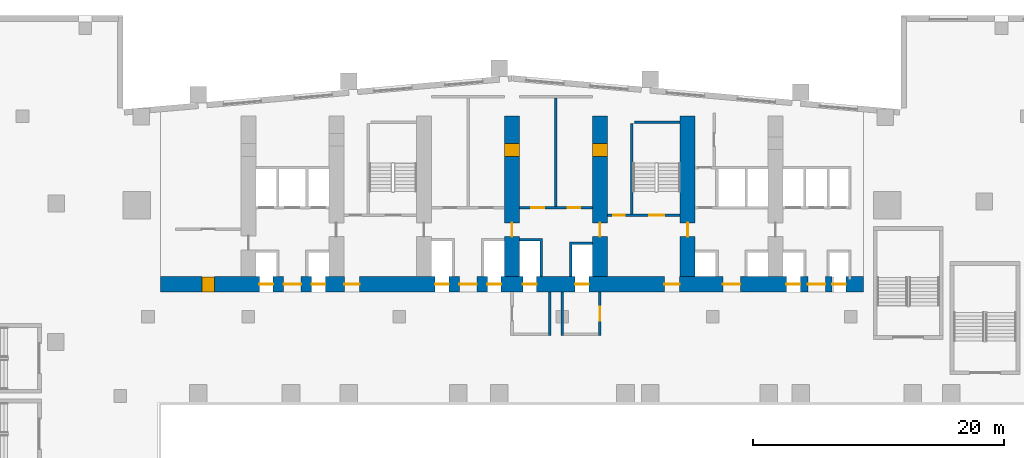
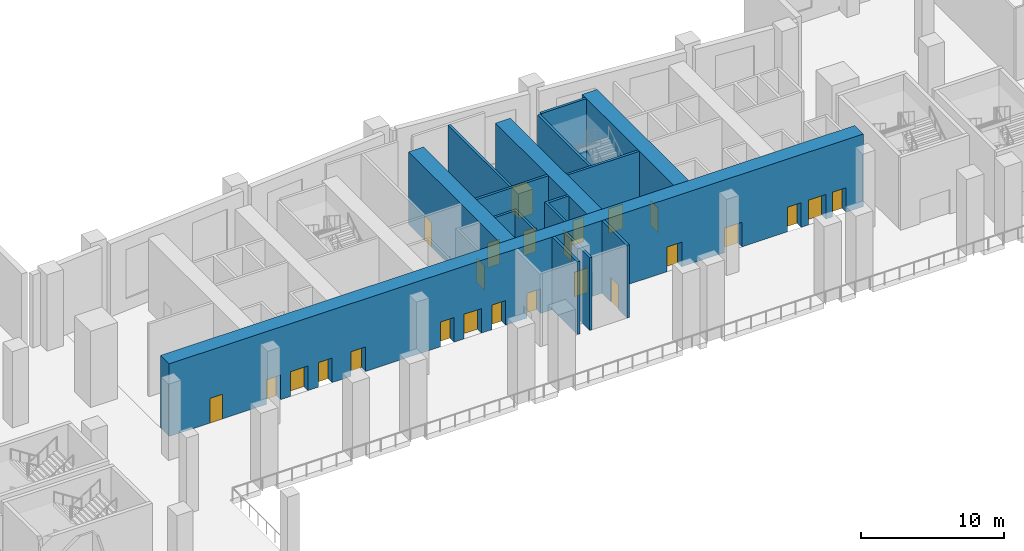
# One storey, part 15 of 30: 25 doors, 14 walls, 25 openings.
"""IFC4 building model written with IfcOpenShell, lengths in metres."""

import ifcopenshell
import ifcopenshell.guid

model = None  # the IFC model being written
_history = None  # IfcOwnerHistory: only IFC2X3 demands one
_inside = {}  # id of a spatial element -> (the spatial element, [elements in it])
_under = {}  # id of a project, library or spatial element -> (it, [spatial elements below it])
_declared = {}  # id of a project -> (the project, [libraries it declares])
_typed = {}  # id of a type object -> (the type object, [elements of that type])
_made_of = {}  # id of a material, layer set ... -> (it, [elements and type objects made of it])


def new_model(schema):
    """Start an empty IFC model of exactly this schema.

    Asked for "IFC4X3", IfcOpenShell would pick the latest addendum, in which some entities
    have other attributes; the version numbers below select the first issue.
    IFC2X3 requires an IfcOwnerHistory on every rooted entity: one is made here for all.
    """
    global model, _history
    if schema == "IFC4X3":
        model = ifcopenshell.file(schema_version=(4, 3, 0, 0))
    else:
        model = ifcopenshell.file(schema=schema)
    _inside.clear()
    _under.clear()
    _declared.clear()
    _typed.clear()
    _made_of.clear()
    _history = None
    if model.schema == "IFC2X3":
        org = make("IfcOrganization", Name="unknown")
        user = make(
            "IfcPersonAndOrganization",
            ThePerson=make("IfcPerson", FamilyName="unknown"),
            TheOrganization=org,
        )
        app = make(
            "IfcApplication",
            ApplicationDeveloper=org,
            Version="unknown",
            ApplicationFullName="unknown",
            ApplicationIdentifier="unknown",
        )
        _history = make(
            "IfcOwnerHistory",
            OwningUser=user,
            OwningApplication=app,
            ChangeAction="ADDED",
            CreationDate=0,
        )
    return model


def make(cls, **values):
    """One entity of the class cls with the attributes given. An attribute that is None is left unset."""
    return model.create_entity(
        cls, **{name: value for name, value in values.items() if value is not None}
    )


def rooted(cls, **values):
    """An entity with a GlobalId (a new one), such as an element, a storey or a relation."""
    return make(cls, GlobalId=ifcopenshell.guid.new(), OwnerHistory=_history, **values)


def si_unit(unit_type, name, prefix=None):
    """IfcSIUnit, for example si_unit("LENGTHUNIT", "METRE", prefix="MILLI")."""
    return make("IfcSIUnit", UnitType=unit_type, Prefix=prefix, Name=name)


def assignment(units):
    """IfcUnitAssignment: the units of a project."""
    return None if units is None else make("IfcUnitAssignment", Units=units)


def point(xyz):
    """IfcCartesianPoint."""
    return None if xyz is None else make("IfcCartesianPoint", Coordinates=xyz)


def direction(xyz):
    """IfcDirection."""
    return None if xyz is None else make("IfcDirection", DirectionRatios=xyz)


def frame(location, z_axis=None, x_axis=None):
    """IfcAxis2Placement3D, a coordinate frame: its origin and axes. An axis left out is left unset."""
    return make(
        "IfcAxis2Placement3D",
        Location=point(location),
        Axis=direction(z_axis),
        RefDirection=direction(x_axis),
    )


def frame_2d(location, x_axis=None):
    """IfcAxis2Placement2D, a coordinate frame in the plane: its origin and x axis."""
    return make(
        "IfcAxis2Placement2D", Location=point(location), RefDirection=direction(x_axis)
    )


def origin():
    """The frame at (0, 0, 0) with its axes left unset."""
    return frame((0.0, 0.0, 0.0))


def place(relative_to, where):
    """IfcLocalPlacement: puts the frame where relative to a parent placement (None: the world)."""
    return make(
        "IfcLocalPlacement", PlacementRelTo=relative_to, RelativePlacement=where
    )


def context(
    kind, dimensions, precision=None, world=None, true_north=None, identifier=None
):
    """IfcGeometricRepresentationContext, for example the 3D "Model" context."""
    return make(
        "IfcGeometricRepresentationContext",
        ContextIdentifier=identifier,
        ContextType=kind,
        CoordinateSpaceDimension=dimensions,
        Precision=precision,
        WorldCoordinateSystem=world,
        TrueNorth=true_north,
    )


def subcontext(parent, identifier, kind, view, scale=None):
    """IfcGeometricRepresentationSubContext, for example "Body" below "Model"."""
    return make(
        "IfcGeometricRepresentationSubContext",
        ContextIdentifier=identifier,
        ContextType=kind,
        ParentContext=parent,
        TargetScale=scale,
        TargetView=view,
    )


def project(units=None, contexts=None):
    """IfcProject with its units and contexts."""
    return rooted(
        "IfcProject",
        Name="project",
        RepresentationContexts=contexts,
        UnitsInContext=assignment(units),
    )


def spatial(cls, under=None, at=None, **own):
    """A site, building, storey or space (cls), placed at a placement, below another one or the project."""
    s = rooted(cls, ObjectPlacement=at, **own)
    if under is not None:
        _under.setdefault(under.id(), (under, []))[1].append(s)
    return s


def polyline(points):
    """IfcPolyline through the points."""
    return make("IfcPolyline", Points=[point(p) for p in points])


def profile(cls, at=None, kind="AREA", **sizes):
    """A parametric profile (cls). Its sizes go by their IFC names, for example OverallWidth=200.0."""
    return make(cls, ProfileType=kind, Position=at, **sizes)


def rectangle(**sizes):
    """IfcRectangleProfileDef."""
    return profile("IfcRectangleProfileDef", **sizes)


def outline(outer, holes=None, kind="AREA"):
    """IfcArbitraryClosedProfileDef: a profile drawn as a closed curve; with holes, ...WithVoids."""
    if holes is None:
        return make("IfcArbitraryClosedProfileDef", ProfileType=kind, OuterCurve=outer)
    return make(
        "IfcArbitraryProfileDefWithVoids",
        ProfileType=kind,
        OuterCurve=outer,
        InnerCurves=holes,
    )


def extrude(swept, where, along, depth):
    """IfcExtrudedAreaSolid: the profile swept, set in the frame where, extruded along a direction by depth."""
    return make(
        "IfcExtrudedAreaSolid",
        SweptArea=swept,
        Position=where,
        ExtrudedDirection=direction(along),
        Depth=depth,
    )


def shape(context_of_items, identifier, shape_type, items):
    """IfcShapeRepresentation: the items that make up one representation, for example the "Body"."""
    return make(
        "IfcShapeRepresentation",
        ContextOfItems=context_of_items,
        RepresentationIdentifier=identifier,
        RepresentationType=shape_type,
        Items=items,
    )


def material(Name=None, Category=None):
    """IfcMaterial."""
    return make("IfcMaterial", Name=Name, Category=Category)


def layer(
    of_material, thickness, ventilated=None, Name=None, Category=None, Priority=None
):
    """IfcMaterialLayer: one layer of a wall or slab, of a material (None: an air gap)."""
    return make(
        "IfcMaterialLayer",
        Material=of_material,
        LayerThickness=thickness,
        IsVentilated=ventilated,
        Name=Name,
        Category=Category,
        Priority=Priority,
    )


def layer_set(layers, Name=None):
    """IfcMaterialLayerSet."""
    return make("IfcMaterialLayerSet", MaterialLayers=layers, LayerSetName=Name)


def made_of(thing, what):
    """Note that an element or type object is made of a material, layer set ...; save() writes the relation."""
    if what is not None:
        _made_of.setdefault(what.id(), (what, []))[1].append(thing)
    return thing


def type_object(cls, material=None, **own):
    """A type object (cls), such as IfcWallType, which elements share."""
    return made_of(rooted(cls, **own), material)


def element(
    cls,
    number,
    at=None,
    inside=None,
    cuts=None,
    type_object=None,
    material=None,
    context=None,
    identifier="Body",
    shape_type=None,
    held_by="IfcProductDefinitionShape",
    body=None,
    shapes=None,
    **own,
):
    """One element of the class cls, such as IfcWall. Its Tag is "e" and its number.

    at: its placement. inside: the storey or other place that contains it. cuts: it is an
    opening in that element (IfcRelVoidsElement). A single representation is given by context,
    identifier, shape_type and body (its items); several are given by shapes. held_by: the class
    of the entity that holds the representations. save() writes the other relations.
    """
    e = rooted(cls, Tag="e%d" % number, ObjectPlacement=at, **own)
    if body is not None:
        shapes = [shape(context, identifier, shape_type, body)]
    if shapes is not None:
        e.Representation = make(held_by, Representations=shapes)
    if inside is not None:
        _inside.setdefault(inside.id(), (inside, []))[1].append(e)
    if cuts is not None:
        rooted(
            "IfcRelVoidsElement", RelatingBuildingElement=cuts, RelatedOpeningElement=e
        )
    if type_object is not None:
        _typed.setdefault(type_object.id(), (type_object, []))[1].append(e)
    return made_of(e, material)


def fill(opening, filler):
    """IfcRelFillsElement: the door or window that sits in an opening."""
    return rooted(
        "IfcRelFillsElement",
        RelatingOpeningElement=opening,
        RelatedBuildingElement=filler,
    )


def aggregate(whole, parts):
    """IfcRelAggregates: a whole, such as a stair, and the parts it consists of."""
    return rooted("IfcRelAggregates", RelatingObject=whole, RelatedObjects=parts)


def save(model, path):
    """Write the relations noted so far, then the file.

    IfcRelAggregates (storeys below a building ...), IfcRelContainedInSpatialStructure (elements
    in a storey), IfcRelDefinesByType, IfcRelAssociatesMaterial and IfcRelDeclares: one each for
    every whole, place, type object, material and project.
    """
    for whole, parts in _under.values():
        aggregate(whole, parts)
    for where, things in _inside.values():
        rooted(
            "IfcRelContainedInSpatialStructure",
            RelatedElements=things,
            RelatingStructure=where,
        )
    for kind, things in _typed.values():
        rooted("IfcRelDefinesByType", RelatedObjects=things, RelatingType=kind)
    for what, things in _made_of.values():
        rooted("IfcRelAssociatesMaterial", RelatedObjects=things, RelatingMaterial=what)
    for by, libraries in _declared.values():
        rooted("IfcRelDeclares", RelatingContext=by, RelatedDefinitions=libraries)
    model.write(path)


model = new_model("IFC4")

# Units and contexts
model_context = context("Model", 3, precision=1e-05, world=origin(), true_north=direction((0.0, 1.0)))
body_context = subcontext(model_context, "Body", "Model", "MODEL_VIEW")
ifc_project = project(units=[si_unit("LENGTHUNIT", "METRE"), si_unit("AREAUNIT", "SQUARE_METRE"), si_unit("VOLUMEUNIT", "CUBIC_METRE"), si_unit("PLANEANGLEUNIT", "RADIAN"), si_unit("MASSUNIT", "GRAM", prefix="KILO")], contexts=[model_context])

# Site, building, storey
site_placement = place(None, origin())
site = spatial("IfcSite", under=ifc_project, at=site_placement, CompositionType="ELEMENT")
building_placement = place(site_placement, origin())
building = spatial("IfcBuilding", under=site, at=building_placement, Name="Wharfspan Tower", CompositionType="ELEMENT")
storey_placement = place(building_placement, frame((0.0, 0.0, 15.0)))
storey = spatial("IfcBuildingStorey", under=building, at=storey_placement, Name="L02", CompositionType="ELEMENT", Elevation=15.0)

# Wall
ifc_material_1 = material(Name="Calcium silicate masonry", Category="masonry")
ifc_layer_1 = layer(ifc_material_1, 0.199951)
ifc_layer_set_1 = layer_set([ifc_layer_1], Name="Calcium silicate masonry")
wall_type_1 = type_object("IfcWallType", Name="Core room wall 200", PredefinedType="PARTITIONING", material=ifc_layer_set_1)
wall_1_placement = place(storey_placement, frame((40.5, 40.800049, 0.0), z_axis=(0.0, 0.0, 1.0), x_axis=(0.0, 1.0, 0.0)))
element("IfcWall", 1, at=wall_1_placement, inside=storey, type_object=wall_type_1, Name="sw:L02:RP4.1", PredefinedType="PARTITIONING", context=body_context, shape_type="SweptSolid", body=[
    extrude(rectangle(XDim=8.652588, YDim=0.199951, at=frame_2d((4.326172, 0.0))), origin(), (0.0, 0.0, 1.0), 6.199951),
])

# Wall, openings, doors
ifc_material_2 = material(Name="Concrete C70/85", Category="concrete")
ifc_layer_2 = layer(ifc_material_2, 1.199951)
ifc_layer_set_2 = layer_set([ifc_layer_2], Name="Concrete C70/85")
wall_type_2 = type_object("IfcWallType", Name="Core wall fallback 1.2", PredefinedType="SHEAR", material=ifc_layer_set_2)
wall_2_placement = place(storey_placement, frame((9.0, 34.600098, 0.0), z_axis=(0.0, 0.0, 1.0), x_axis=(1.0, 0.0, 0.0)))
wall_2 = element("IfcWall", 2, at=wall_2_placement, inside=storey, type_object=wall_type_2, Name="cw:L02:FW", PredefinedType="SHEAR", context=body_context, shape_type="SweptSolid", body=[
    extrude(rectangle(XDim=56.0, YDim=1.199951, at=frame_2d((28.0, 0.0))), origin(), (0.0, 0.0, 1.0), 6.199951),
])
opening_1_placement = place(wall_2_placement, frame((3.300049, 0.0, 0.0)))
opening_1 = element("IfcOpeningElement", 3, at=opening_1_placement, cuts=wall_2, Name="Opening CD02.01", PredefinedType="OPENING", context=body_context, shape_type="SweptSolid", body=[
    extrude(rectangle(XDim=1.0, YDim=2.100098, at=frame_2d((0.5, 1.050049))), frame((0.0, 0.609863, 0.0), z_axis=(0.0, -1.0, 0.0), x_axis=(1.0, 0.0, 0.0)), (0.0, 0.0, 1.0), 1.219971),
])
opening_2_placement = place(wall_2_placement, frame((7.866699, 0.0, 0.0)))
opening_2 = element("IfcOpeningElement", 4, at=opening_2_placement, cuts=wall_2, Name="Opening LD.LA1.L02", PredefinedType="OPENING", context=body_context, shape_type="SweptSolid", body=[
    extrude(rectangle(XDim=1.100098, YDim=2.100098, at=frame_2d((0.550049, 1.050049))), frame((0.0, 0.609863, 0.0), z_axis=(0.0, -1.0, 0.0), x_axis=(1.0, 0.0, 0.0)), (0.0, 0.0, 1.0), 1.219971),
])
opening_3_placement = place(wall_2_placement, frame((12.033203, 0.0, 0.0)))
opening_3 = element("IfcOpeningElement", 5, at=opening_3_placement, cuts=wall_2, Name="Opening LD.LA2.L02", PredefinedType="OPENING", context=body_context, shape_type="SweptSolid", body=[
    extrude(rectangle(XDim=1.100098, YDim=2.100098, at=frame_2d((0.550049, 1.050049))), frame((0.0, 0.609863, 0.0), z_axis=(0.0, -1.0, 0.0), x_axis=(1.0, 0.0, 0.0)), (0.0, 0.0, 1.0), 1.219971),
])
opening_4_placement = place(wall_2_placement, frame((9.800049, 0.0, 0.0)))
opening_4 = element("IfcOpeningElement", 6, at=opening_4_placement, cuts=wall_2, Name="Opening HD02.1", PredefinedType="OPENING", context=body_context, shape_type="SweptSolid", body=[
    extrude(rectangle(XDim=1.399902, YDim=2.100098, at=frame_2d((0.699951, 1.050049))), frame((0.0, 0.609863, 0.0), z_axis=(0.0, -1.0, 0.0), x_axis=(1.0, 0.0, 0.0)), (0.0, 0.0, 1.0), 1.219971),
])
opening_5_placement = place(wall_2_placement, frame((14.649902, 0.0, 0.0)))
opening_5 = element("IfcOpeningElement", 7, at=opening_5_placement, cuts=wall_2, Name="Opening SV2.L02", PredefinedType="OPENING", context=body_context, shape_type="SweptSolid", body=[
    extrude(rectangle(XDim=1.199951, YDim=2.100098, at=frame_2d((0.600098, 1.050049))), frame((0.0, 0.609863, 0.0), z_axis=(0.0, -1.0, 0.0), x_axis=(1.0, 0.0, 0.0)), (0.0, 0.0, 1.0), 1.219971),
])
opening_6_placement = place(wall_2_placement, frame((21.866699, 0.0, 0.0)))
opening_6 = element("IfcOpeningElement", 8, at=opening_6_placement, cuts=wall_2, Name="Opening LD.SL1.L02", PredefinedType="OPENING", context=body_context, shape_type="SweptSolid", body=[
    extrude(rectangle(XDim=1.100098, YDim=2.100098, at=frame_2d((0.550049, 1.050049))), frame((0.0, 0.609863, 0.0), z_axis=(0.0, -1.0, 0.0), x_axis=(1.0, 0.0, 0.0)), (0.0, 0.0, 1.0), 1.219971),
])
opening_7_placement = place(wall_2_placement, frame((26.033203, 0.0, 0.0)))
opening_7 = element("IfcOpeningElement", 9, at=opening_7_placement, cuts=wall_2, Name="Opening LD.SL2.L02", PredefinedType="OPENING", context=body_context, shape_type="SweptSolid", body=[
    extrude(rectangle(XDim=1.100098, YDim=2.100098, at=frame_2d((0.550049, 1.050049))), frame((0.0, 0.609863, 0.0), z_axis=(0.0, -1.0, 0.0), x_axis=(1.0, 0.0, 0.0)), (0.0, 0.0, 1.0), 1.219971),
])
opening_8_placement = place(wall_2_placement, frame((23.800049, 0.0, 0.0)))
opening_8 = element("IfcOpeningElement", 10, at=opening_8_placement, cuts=wall_2, Name="Opening HD02.3", PredefinedType="OPENING", context=body_context, shape_type="SweptSolid", body=[
    extrude(rectangle(XDim=1.399902, YDim=2.100098, at=frame_2d((0.699951, 1.050049))), frame((0.0, 0.609863, 0.0), z_axis=(0.0, -1.0, 0.0), x_axis=(1.0, 0.0, 0.0)), (0.0, 0.0, 1.0), 1.219971),
])
opening_9_placement = place(wall_2_placement, frame((28.866699, 0.0, 0.0)))
opening_9 = element("IfcOpeningElement", 11, at=opening_9_placement, cuts=wall_2, Name="Opening LD.FF1.L02", PredefinedType="OPENING", context=body_context, shape_type="SweptSolid", body=[
    extrude(rectangle(XDim=1.100098, YDim=2.100098, at=frame_2d((0.550049, 1.050049))), frame((0.0, 0.609863, 0.0), z_axis=(0.0, -1.0, 0.0), x_axis=(1.0, 0.0, 0.0)), (0.0, 0.0, 1.0), 1.219971),
])
opening_10_placement = place(wall_2_placement, frame((33.033203, 0.0, 0.0)))
opening_10 = element("IfcOpeningElement", 12, at=opening_10_placement, cuts=wall_2, Name="Opening LD.FF2.L02", PredefinedType="OPENING", context=body_context, shape_type="SweptSolid", body=[
    extrude(rectangle(XDim=1.100098, YDim=2.100098, at=frame_2d((0.550049, 1.050049))), frame((0.0, 0.609863, 0.0), z_axis=(0.0, -1.0, 0.0), x_axis=(1.0, 0.0, 0.0)), (0.0, 0.0, 1.0), 1.219971),
])
opening_11_placement = place(wall_2_placement, frame((40.149902, 0.0, 0.0)))
opening_11 = element("IfcOpeningElement", 13, at=opening_11_placement, cuts=wall_2, Name="Opening SV5.L02", PredefinedType="OPENING", context=body_context, shape_type="SweptSolid", body=[
    extrude(rectangle(XDim=1.199951, YDim=2.100098, at=frame_2d((0.600098, 1.050049))), frame((0.0, 0.609863, 0.0), z_axis=(0.0, -1.0, 0.0), x_axis=(1.0, 0.0, 0.0)), (0.0, 0.0, 1.0), 1.219971),
])
opening_12_placement = place(wall_2_placement, frame((44.800049, 0.0, 0.0)))
opening_12 = element("IfcOpeningElement", 14, at=opening_12_placement, cuts=wall_2, Name="Opening HD02.6", PredefinedType="OPENING", context=body_context, shape_type="SweptSolid", body=[
    extrude(rectangle(XDim=1.399902, YDim=2.100098, at=frame_2d((0.699951, 1.050049))), frame((0.0, 0.609863, 0.0), z_axis=(0.0, -1.0, 0.0), x_axis=(1.0, 0.0, 0.0)), (0.0, 0.0, 1.0), 1.219971),
])
opening_13_placement = place(wall_2_placement, frame((49.866699, 0.0, 0.0)))
opening_13 = element("IfcOpeningElement", 15, at=opening_13_placement, cuts=wall_2, Name="Opening LD.LA6.L02", PredefinedType="OPENING", context=body_context, shape_type="SweptSolid", body=[
    extrude(rectangle(XDim=1.100098, YDim=2.100098, at=frame_2d((0.550049, 1.050049))), frame((0.0, 0.609863, 0.0), z_axis=(0.0, -1.0, 0.0), x_axis=(1.0, 0.0, 0.0)), (0.0, 0.0, 1.0), 1.219971),
])
opening_14_placement = place(wall_2_placement, frame((53.5, 0.0, 0.0)))
opening_14 = element("IfcOpeningElement", 16, at=opening_14_placement, cuts=wall_2, Name="Opening LD.LA7.L02", PredefinedType="OPENING", context=body_context, shape_type="SweptSolid", body=[
    extrude(rectangle(XDim=1.100098, YDim=2.100098, at=frame_2d((0.550049, 1.050049))), frame((0.0, 0.609863, 0.0), z_axis=(0.0, -1.0, 0.0), x_axis=(1.0, 0.0, 0.0)), (0.0, 0.0, 1.0), 1.219971),
])
opening_15_placement = place(wall_2_placement, frame((51.56665, 0.0, 0.0)))
opening_15 = element("IfcOpeningElement", 17, at=opening_15_placement, cuts=wall_2, Name="Opening HD02.7", PredefinedType="OPENING", context=body_context, shape_type="SweptSolid", body=[
    extrude(rectangle(XDim=1.399902, YDim=2.100098, at=frame_2d((0.699951, 1.050049))), frame((0.0, 0.609863, 0.0), z_axis=(0.0, -1.0, 0.0), x_axis=(1.0, 0.0, 0.0)), (0.0, 0.0, 1.0), 1.219971),
])
ifc_material_3 = material(Name="Steel door leaf", Category="steel")
door_type_1 = type_object("IfcDoorType", Name="Core room door 1000x2100", OperationType="SINGLE_SWING_LEFT", PredefinedType="DOOR", material=ifc_material_3)
door_1_placement = place(opening_1_placement, origin())
door_1 = element("IfcDoor", 18, at=door_1_placement, inside=storey, type_object=door_type_1, Name="d:L02:0:rf", OperationType="SINGLE_SWING_LEFT", OverallHeight=2.100098, OverallWidth=1.0, PredefinedType="DOOR", context=body_context, shape_type="SweptSolid", body=[
    extrude(rectangle(XDim=1.0, YDim=2.100098, at=frame_2d((0.5, 1.050049))), frame((0.0, 0.599609, 0.0), z_axis=(0.0, -1.0, 0.0), x_axis=(1.0, 0.0, 0.0)), (0.0, 0.0, 1.0), 1.199463),
])
fill(opening_1, door_1)
door_type_2 = type_object("IfcDoorType", Name="Hall entry door 1400x2100", OperationType="DOUBLE_DOOR_SINGLE_SWING", PredefinedType="DOOR", material=ifc_material_3)
door_2_placement = place(opening_4_placement, origin())
door_2 = element("IfcDoor", 19, at=door_2_placement, inside=storey, type_object=door_type_2, Name="d:L02:1:hd1", OperationType="DOUBLE_DOOR_SINGLE_SWING", OverallHeight=2.100098, OverallWidth=1.399902, PredefinedType="DOOR", context=body_context, shape_type="SweptSolid", body=[
    extrude(rectangle(XDim=1.399902, YDim=2.100098, at=frame_2d((0.699951, 1.050049))), frame((0.0, 0.024902, 0.0), z_axis=(0.0, -1.0, 0.0), x_axis=(1.0, 0.0, 0.0)), (0.0, 0.0, 1.0), 0.050049),
])
fill(opening_4, door_2)
door_3_placement = place(opening_8_placement, origin())
door_3 = element("IfcDoor", 20, at=door_3_placement, inside=storey, type_object=door_type_2, Name="d:L02:3:hd3", OperationType="DOUBLE_DOOR_SINGLE_SWING", OverallHeight=2.100098, OverallWidth=1.399902, PredefinedType="DOOR", context=body_context, shape_type="SweptSolid", body=[
    extrude(rectangle(XDim=1.399902, YDim=2.100098, at=frame_2d((0.699951, 1.050049))), frame((0.0, 0.024902, 0.0), z_axis=(0.0, -1.0, 0.0), x_axis=(1.0, 0.0, 0.0)), (0.0, 0.0, 1.0), 0.050049),
])
fill(opening_8, door_3)
door_4_placement = place(opening_12_placement, origin())
door_4 = element("IfcDoor", 21, at=door_4_placement, inside=storey, type_object=door_type_2, Name="d:L02:6:hd6", OperationType="DOUBLE_DOOR_SINGLE_SWING", OverallHeight=2.100098, OverallWidth=1.399902, PredefinedType="DOOR", context=body_context, shape_type="SweptSolid", body=[
    extrude(rectangle(XDim=1.399902, YDim=2.100098, at=frame_2d((0.699951, 1.050049))), frame((0.0, 0.024902, 0.0), z_axis=(0.0, -1.0, 0.0), x_axis=(1.0, 0.0, 0.0)), (0.0, 0.0, 1.0), 0.050049),
])
fill(opening_12, door_4)
door_5_placement = place(opening_15_placement, origin())
door_5 = element("IfcDoor", 22, at=door_5_placement, inside=storey, type_object=door_type_2, Name="d:L02:7:hd7", OperationType="DOUBLE_DOOR_SINGLE_SWING", OverallHeight=2.100098, OverallWidth=1.399902, PredefinedType="DOOR", context=body_context, shape_type="SweptSolid", body=[
    extrude(rectangle(XDim=1.399902, YDim=2.100098, at=frame_2d((0.699951, 1.050049))), frame((0.0, 0.024902, 0.0), z_axis=(0.0, -1.0, 0.0), x_axis=(1.0, 0.0, 0.0)), (0.0, 0.0, 1.0), 0.050049),
])
fill(opening_15, door_5)
ifc_material_4 = material(Name="Stainless steel", Category="steel")
door_type_3 = type_object("IfcDoorType", Name="Lift landing door 1100x2100", OperationType="DOUBLE_DOOR_SLIDING", PredefinedType="DOOR", material=ifc_material_4)
door_6_placement = place(opening_2_placement, origin())
door_6 = element("IfcDoor", 23, at=door_6_placement, inside=storey, type_object=door_type_3, Name="Landing door LA1 L02", OperationType="DOUBLE_DOOR_SLIDING", OverallHeight=2.100098, OverallWidth=1.100098, PredefinedType="DOOR", context=body_context, shape_type="SweptSolid", body=[
    extrude(rectangle(XDim=1.100098, YDim=2.100098, at=frame_2d((0.550049, 1.050049))), frame((0.0, 0.024902, 0.0), z_axis=(0.0, -1.0, 0.0), x_axis=(1.0, 0.0, 0.0)), (0.0, 0.0, 1.0), 0.050049),
])
fill(opening_2, door_6)
door_7_placement = place(opening_3_placement, origin())
door_7 = element("IfcDoor", 24, at=door_7_placement, inside=storey, type_object=door_type_3, Name="Landing door LA2 L02", OperationType="DOUBLE_DOOR_SLIDING", OverallHeight=2.100098, OverallWidth=1.100098, PredefinedType="DOOR", context=body_context, shape_type="SweptSolid", body=[
    extrude(rectangle(XDim=1.100098, YDim=2.100098, at=frame_2d((0.550049, 1.050049))), frame((0.0, 0.024902, 0.0), z_axis=(0.0, -1.0, 0.0), x_axis=(1.0, 0.0, 0.0)), (0.0, 0.0, 1.0), 0.050049),
])
fill(opening_3, door_7)
door_8_placement = place(opening_6_placement, origin())
door_8 = element("IfcDoor", 25, at=door_8_placement, inside=storey, type_object=door_type_3, Name="Landing door SL1 L02", OperationType="DOUBLE_DOOR_SLIDING", OverallHeight=2.100098, OverallWidth=1.100098, PredefinedType="DOOR", context=body_context, shape_type="SweptSolid", body=[
    extrude(rectangle(XDim=1.100098, YDim=2.100098, at=frame_2d((0.550049, 1.050049))), frame((0.0, 0.024902, 0.0), z_axis=(0.0, -1.0, 0.0), x_axis=(1.0, 0.0, 0.0)), (0.0, 0.0, 1.0), 0.050049),
])
fill(opening_6, door_8)
door_9_placement = place(opening_7_placement, origin())
door_9 = element("IfcDoor", 26, at=door_9_placement, inside=storey, type_object=door_type_3, Name="Landing door SL2 L02", OperationType="DOUBLE_DOOR_SLIDING", OverallHeight=2.100098, OverallWidth=1.100098, PredefinedType="DOOR", context=body_context, shape_type="SweptSolid", body=[
    extrude(rectangle(XDim=1.100098, YDim=2.100098, at=frame_2d((0.550049, 1.050049))), frame((0.0, 0.024902, 0.0), z_axis=(0.0, -1.0, 0.0), x_axis=(1.0, 0.0, 0.0)), (0.0, 0.0, 1.0), 0.050049),
])
fill(opening_7, door_9)
door_10_placement = place(opening_9_placement, origin())
door_10 = element("IfcDoor", 27, at=door_10_placement, inside=storey, type_object=door_type_3, Name="Landing door FF1 L02", OperationType="DOUBLE_DOOR_SLIDING", OverallHeight=2.100098, OverallWidth=1.100098, PredefinedType="DOOR", context=body_context, shape_type="SweptSolid", body=[
    extrude(rectangle(XDim=1.100098, YDim=2.100098, at=frame_2d((0.550049, 1.050049))), frame((0.0, 0.024902, 0.0), z_axis=(0.0, -1.0, 0.0), x_axis=(1.0, 0.0, 0.0)), (0.0, 0.0, 1.0), 0.050049),
])
fill(opening_9, door_10)
door_11_placement = place(opening_10_placement, origin())
door_11 = element("IfcDoor", 28, at=door_11_placement, inside=storey, type_object=door_type_3, Name="Landing door FF2 L02", OperationType="DOUBLE_DOOR_SLIDING", OverallHeight=2.100098, OverallWidth=1.100098, PredefinedType="DOOR", context=body_context, shape_type="SweptSolid", body=[
    extrude(rectangle(XDim=1.100098, YDim=2.100098, at=frame_2d((0.550049, 1.050049))), frame((0.0, 0.024902, 0.0), z_axis=(0.0, -1.0, 0.0), x_axis=(1.0, 0.0, 0.0)), (0.0, 0.0, 1.0), 0.050049),
])
fill(opening_10, door_11)
door_12_placement = place(opening_13_placement, origin())
door_12 = element("IfcDoor", 29, at=door_12_placement, inside=storey, type_object=door_type_3, Name="Landing door LA6 L02", OperationType="DOUBLE_DOOR_SLIDING", OverallHeight=2.100098, OverallWidth=1.100098, PredefinedType="DOOR", context=body_context, shape_type="SweptSolid", body=[
    extrude(rectangle(XDim=1.100098, YDim=2.100098, at=frame_2d((0.550049, 1.050049))), frame((0.0, 0.024902, 0.0), z_axis=(0.0, -1.0, 0.0), x_axis=(1.0, 0.0, 0.0)), (0.0, 0.0, 1.0), 0.050049),
])
fill(opening_13, door_12)
door_13_placement = place(opening_14_placement, origin())
door_13 = element("IfcDoor", 30, at=door_13_placement, inside=storey, type_object=door_type_3, Name="Landing door LA7 L02", OperationType="DOUBLE_DOOR_SLIDING", OverallHeight=2.100098, OverallWidth=1.100098, PredefinedType="DOOR", context=body_context, shape_type="SweptSolid", body=[
    extrude(rectangle(XDim=1.100098, YDim=2.100098, at=frame_2d((0.550049, 1.050049))), frame((0.0, 0.024902, 0.0), z_axis=(0.0, -1.0, 0.0), x_axis=(1.0, 0.0, 0.0)), (0.0, 0.0, 1.0), 0.050049),
])
fill(opening_14, door_13)
door_type_4 = type_object("IfcDoorType", Name="Stair door 1200x2100", OperationType="SINGLE_SWING_LEFT", PredefinedType="DOOR", material=ifc_material_3)
door_14_placement = place(opening_5_placement, origin())
door_14 = element("IfcDoor", 31, at=door_14_placement, inside=storey, type_object=door_type_4, Name="vd:L02:2", OperationType="SINGLE_SWING_LEFT", OverallHeight=2.100098, OverallWidth=1.199951, PredefinedType="DOOR", context=body_context, shape_type="SweptSolid", body=[
    extrude(rectangle(XDim=1.199951, YDim=2.100098, at=frame_2d((0.600098, 1.050049))), frame((0.0, 0.024902, 0.0), z_axis=(0.0, -1.0, 0.0), x_axis=(1.0, 0.0, 0.0)), (0.0, 0.0, 1.0), 0.050049),
])
fill(opening_5, door_14)
door_15_placement = place(opening_11_placement, origin())
door_15 = element("IfcDoor", 32, at=door_15_placement, inside=storey, type_object=door_type_4, Name="vd:L02:5", OperationType="SINGLE_SWING_LEFT", OverallHeight=2.100098, OverallWidth=1.199951, PredefinedType="DOOR", context=body_context, shape_type="SweptSolid", body=[
    extrude(rectangle(XDim=1.199951, YDim=2.100098, at=frame_2d((0.600098, 1.050049))), frame((0.0, 0.024902, 0.0), z_axis=(0.0, -1.0, 0.0), x_axis=(1.0, 0.0, 0.0)), (0.0, 0.0, 1.0), 0.050049),
])
fill(opening_11, door_15)

wall_3_placement = place(storey_placement, frame((37.0, 35.199951, 0.0), z_axis=(0.0, 0.0, 1.0), x_axis=(0.0, 1.0, 0.0)))
wall_3 = element("IfcWall", 33, at=wall_3_placement, inside=storey, type_object=wall_type_2, Name="cw:L02:X4", PredefinedType="SHEAR", context=body_context, shape_type="SweptSolid", body=[
    extrude(rectangle(XDim=12.800049, YDim=1.199951, at=frame_2d((6.399902, 0.0))), origin(), (0.0, 0.0, 1.0), 6.199951),
])
opening_16_placement = place(wall_3_placement, frame((3.199951, 0.0, 0.0)))
opening_16 = element("IfcOpeningElement", 34, at=opening_16_placement, cuts=wall_3, Name="Opening CC02.4", PredefinedType="OPENING", context=body_context, shape_type="SweptSolid", body=[
    extrude(rectangle(XDim=1.100098, YDim=2.100098, at=frame_2d((0.550049, 1.050049))), frame((0.0, 0.609863, 0.0), z_axis=(0.0, -1.0, 0.0), x_axis=(1.0, 0.0, 0.0)), (0.0, 0.0, 1.0), 1.219971),
])
opening_17_placement = place(wall_3_placement, frame((9.600098, 0.0, 0.0)))
opening_17 = element("IfcOpeningElement", 35, at=opening_17_placement, cuts=wall_3, Name="Opening CR02.4", PredefinedType="OPENING", context=body_context, shape_type="SweptSolid", body=[
    extrude(rectangle(XDim=1.0, YDim=2.100098, at=frame_2d((0.5, 1.050049))), frame((0.0, 0.609863, 0.0), z_axis=(0.0, -1.0, 0.0), x_axis=(1.0, 0.0, 0.0)), (0.0, 0.0, 1.0), 1.219971),
])
door_type_5 = type_object("IfcDoorType", Name="Core corridor door 1100x2100", OperationType="SINGLE_SWING_LEFT", PredefinedType="DOOR", material=ifc_material_3)
door_16_placement = place(opening_16_placement, origin())
door_16 = element("IfcDoor", 36, at=door_16_placement, inside=storey, type_object=door_type_5, Name="xd:L02:4", OperationType="SINGLE_SWING_RIGHT", OverallHeight=2.100098, OverallWidth=1.100098, PredefinedType="DOOR", context=body_context, shape_type="SweptSolid", body=[
    extrude(rectangle(XDim=1.100098, YDim=2.100098, at=frame_2d((0.550049, 1.050049))), frame((0.0, 0.024902, 0.0), z_axis=(0.0, -1.0, 0.0), x_axis=(1.0, 0.0, 0.0)), (0.0, 0.0, 1.0), 0.050049),
])
fill(opening_16, door_16)
door_17_placement = place(opening_17_placement, origin())
door_17 = element("IfcDoor", 37, at=door_17_placement, inside=storey, type_object=door_type_1, Name="xr:L02:4", OperationType="SINGLE_SWING_RIGHT", OverallHeight=2.100098, OverallWidth=1.0, PredefinedType="DOOR", context=body_context, shape_type="SweptSolid", body=[
    extrude(rectangle(XDim=1.0, YDim=2.100098, at=frame_2d((0.5, 1.050049))), frame((0.0, 0.599609, 0.0), z_axis=(0.0, -1.0, 0.0), x_axis=(1.0, 0.0, 0.0)), (0.0, 0.0, 1.0), 1.199463),
])
fill(opening_17, door_17)

wall_4_placement = place(storey_placement, frame((44.0, 35.199951, 0.0), z_axis=(0.0, 0.0, 1.0), x_axis=(0.0, 1.0, 0.0)))
wall_4 = element("IfcWall", 38, at=wall_4_placement, inside=storey, type_object=wall_type_2, Name="cw:L02:X5", PredefinedType="SHEAR", context=body_context, shape_type="SweptSolid", body=[
    extrude(rectangle(XDim=12.800049, YDim=1.199951, at=frame_2d((6.399902, 0.0))), origin(), (0.0, 0.0, 1.0), 6.199951),
])
opening_18_placement = place(wall_4_placement, frame((3.199951, 0.0, 0.0)))
opening_18 = element("IfcOpeningElement", 39, at=opening_18_placement, cuts=wall_4, Name="Opening CC02.5", PredefinedType="OPENING", context=body_context, shape_type="SweptSolid", body=[
    extrude(rectangle(XDim=1.100098, YDim=2.100098, at=frame_2d((0.550049, 1.050049))), frame((0.0, 0.609863, 0.0), z_axis=(0.0, -1.0, 0.0), x_axis=(1.0, 0.0, 0.0)), (0.0, 0.0, 1.0), 1.219971),
])
opening_19_placement = place(wall_4_placement, frame((9.600098, 0.0, 0.0)))
opening_19 = element("IfcOpeningElement", 40, at=opening_19_placement, cuts=wall_4, Name="Opening CR02.5", PredefinedType="OPENING", context=body_context, shape_type="SweptSolid", body=[
    extrude(rectangle(XDim=1.0, YDim=2.100098, at=frame_2d((0.5, 1.050049))), frame((0.0, 0.609863, 0.0), z_axis=(0.0, -1.0, 0.0), x_axis=(1.0, 0.0, 0.0)), (0.0, 0.0, 1.0), 1.219971),
])
door_18_placement = place(opening_18_placement, origin())
door_18 = element("IfcDoor", 41, at=door_18_placement, inside=storey, type_object=door_type_5, Name="xd:L02:5", OperationType="SINGLE_SWING_LEFT", OverallHeight=2.100098, OverallWidth=1.100098, PredefinedType="DOOR", context=body_context, shape_type="SweptSolid", body=[
    extrude(rectangle(XDim=1.100098, YDim=2.100098, at=frame_2d((0.550049, 1.050049))), frame((0.0, 0.024902, 0.0), z_axis=(0.0, -1.0, 0.0), x_axis=(1.0, 0.0, 0.0)), (0.0, 0.0, 1.0), 0.050049),
])
fill(opening_18, door_18)
door_19_placement = place(opening_19_placement, origin())
door_19 = element("IfcDoor", 42, at=door_19_placement, inside=storey, type_object=door_type_1, Name="xr:L02:5", OperationType="SINGLE_SWING_RIGHT", OverallHeight=2.100098, OverallWidth=1.0, PredefinedType="DOOR", context=body_context, shape_type="SweptSolid", body=[
    extrude(rectangle(XDim=1.0, YDim=2.100098, at=frame_2d((0.5, 1.050049))), frame((0.0, 0.599609, 0.0), z_axis=(0.0, -1.0, 0.0), x_axis=(1.0, 0.0, 0.0)), (0.0, 0.0, 1.0), 1.199463),
])
fill(opening_19, door_19)

# Wall, opening, door
wall_5_placement = place(storey_placement, frame((51.0, 35.199951, 0.0), z_axis=(0.0, 0.0, 1.0), x_axis=(0.0, 1.0, 0.0)))
wall_5 = element("IfcWall", 43, at=wall_5_placement, inside=storey, type_object=wall_type_2, Name="cw:L02:X6", PredefinedType="SHEAR", context=body_context, shape_type="SweptSolid", body=[
    extrude(rectangle(XDim=12.800049, YDim=1.199951, at=frame_2d((6.399902, 0.0))), origin(), (0.0, 0.0, 1.0), 6.199951),
])
opening_20_placement = place(wall_5_placement, frame((3.199951, 0.0, 0.0)))
opening_20 = element("IfcOpeningElement", 44, at=opening_20_placement, cuts=wall_5, Name="Opening CC02.6", PredefinedType="OPENING", context=body_context, shape_type="SweptSolid", body=[
    extrude(rectangle(XDim=1.100098, YDim=2.100098, at=frame_2d((0.550049, 1.050049))), frame((0.0, 0.609863, 0.0), z_axis=(0.0, -1.0, 0.0), x_axis=(1.0, 0.0, 0.0)), (0.0, 0.0, 1.0), 1.219971),
])
door_20_placement = place(opening_20_placement, origin())
door_20 = element("IfcDoor", 45, at=door_20_placement, inside=storey, type_object=door_type_5, Name="xd:L02:6", OperationType="SINGLE_SWING_RIGHT", OverallHeight=2.100098, OverallWidth=1.100098, PredefinedType="DOOR", context=body_context, shape_type="SweptSolid", body=[
    extrude(rectangle(XDim=1.100098, YDim=2.100098, at=frame_2d((0.550049, 1.050049))), frame((0.0, 0.024902, 0.0), z_axis=(0.0, -1.0, 0.0), x_axis=(1.0, 0.0, 0.0)), (0.0, 0.0, 1.0), 0.050049),
])
fill(opening_20, door_20)

# Wall, openings, doors
ifc_material_5 = material(Name="Concrete C30/37", Category="concrete")
ifc_layer_3 = layer(ifc_material_5, 0.199951)
ifc_layer_set_3 = layer_set([ifc_layer_3], Name="Concrete C30/37")
wall_type_3 = type_object("IfcWallType", Name="Lift shaft wall 200", PredefinedType="PARTITIONING", material=ifc_layer_set_3)
wall_6_placement = place(storey_placement, frame((37.600098, 40.699951, 0.0), z_axis=(0.0, 0.0, 1.0), x_axis=(1.0, 0.0, 0.0)))
wall_6 = element("IfcWall", 46, at=wall_6_placement, inside=storey, type_object=wall_type_3, Name="sw:L02:RF4", PredefinedType="PARTITIONING", context=body_context, shape_type="SweptSolid", body=[
    extrude(rectangle(XDim=5.799805, YDim=0.199951, at=frame_2d((2.899902, 0.0))), origin(), (0.0, 0.0, 1.0), 6.199951),
])
opening_21_placement = place(wall_6_placement, frame((0.949951, 0.0, 0.0)))
opening_21 = element("IfcOpeningElement", 47, at=opening_21_placement, cuts=wall_6, Name="Opening CD02.4S", PredefinedType="OPENING", context=body_context, shape_type="SweptSolid", body=[
    extrude(rectangle(XDim=1.0, YDim=2.100098, at=frame_2d((0.5, 1.050049))), frame((0.0, 0.109863, 0.0), z_axis=(0.0, -1.0, 0.0), x_axis=(1.0, 0.0, 0.0)), (0.0, 0.0, 1.0), 0.219971),
])
opening_22_placement = place(wall_6_placement, frame((3.850098, 0.0, 0.0)))
opening_22 = element("IfcOpeningElement", 48, at=opening_22_placement, cuts=wall_6, Name="Opening CD02.4Sa", PredefinedType="OPENING", context=body_context, shape_type="SweptSolid", body=[
    extrude(rectangle(XDim=1.0, YDim=2.100098, at=frame_2d((0.5, 1.050049))), frame((0.0, 0.109863, 0.0), z_axis=(0.0, -1.0, 0.0), x_axis=(1.0, 0.0, 0.0)), (0.0, 0.0, 1.0), 0.219971),
])
door_21_placement = place(opening_21_placement, origin())
door_21 = element("IfcDoor", 49, at=door_21_placement, inside=storey, type_object=door_type_1, Name="d:L02:4:sf", OperationType="SINGLE_SWING_LEFT", OverallHeight=2.100098, OverallWidth=1.0, PredefinedType="DOOR", context=body_context, shape_type="SweptSolid", body=[
    extrude(rectangle(XDim=1.0, YDim=2.100098, at=frame_2d((0.5, 1.050049))), frame((0.0, 0.024902, 0.0), z_axis=(0.0, -1.0, 0.0), x_axis=(1.0, 0.0, 0.0)), (0.0, 0.0, 1.0), 0.050049),
])
fill(opening_21, door_21)
door_22_placement = place(opening_22_placement, origin())
door_22 = element("IfcDoor", 50, at=door_22_placement, inside=storey, type_object=door_type_1, Name="d:L02:4:sf1", OperationType="SINGLE_SWING_LEFT", OverallHeight=2.100098, OverallWidth=1.0, PredefinedType="DOOR", context=body_context, shape_type="SweptSolid", body=[
    extrude(rectangle(XDim=1.0, YDim=2.100098, at=frame_2d((0.5, 1.050049))), frame((0.0, 0.024902, 0.0), z_axis=(0.0, -1.0, 0.0), x_axis=(1.0, 0.0, 0.0)), (0.0, 0.0, 1.0), 0.050049),
])
fill(opening_22, door_22)

# Walls
wall_7_placement = place(storey_placement, frame((0.0, 0.0, -0.000244)))
element("IfcWall", 51, at=wall_7_placement, inside=storey, type_object=wall_type_3, Name="sw:L02:FM4.0", PredefinedType="PARTITIONING", context=body_context, shape_type="SweptSolid", body=[
    extrude(outline(polyline([(41.56665, 37.949951), (41.766602, 37.949951), (43.399902, 37.949951), (43.399902, 37.75), (41.766602, 37.75), (41.766602, 35.199951), (41.56665, 35.199951), (41.56665, 37.949951)])), origin(), (0.0, 0.0, 1.0), 6.200195),
])
wall_8_placement = place(storey_placement, frame((0.0, 0.0, -0.000244)))
element("IfcWall", 52, at=wall_8_placement, inside=storey, type_object=wall_type_3, Name="sw:L02:FM4.1", PredefinedType="PARTITIONING", context=body_context, shape_type="SweptSolid", body=[
    extrude(outline(polyline([(39.233398, 38.050049), (37.600098, 38.050049), (37.600098, 38.25), (39.233398, 38.25), (39.43335, 38.25), (39.43335, 35.199951), (39.233398, 35.199951), (39.233398, 38.050049)])), origin(), (0.0, 0.0, 1.0), 6.200195),
])
ifc_layer_4 = layer(ifc_material_5, 0.199951)
ifc_layer_set_4 = layer_set([ifc_layer_4], Name="Concrete C30/37")
wall_type_4 = type_object("IfcWallType", Name="Lobby wall 200", PredefinedType="PARTITIONING", material=ifc_layer_set_4)
for number, where, z_axis, x_axis, name in (
    (53, (40.0, 30.5, 0.0), (0.0, 0.0, 1.0), (0.0, 1.0, 0.0), "sw:L02:FLFF1E"),
    (54, (41.0, 30.5, 0.0), (0.0, 0.0, 1.0), (0.0, 1.0, 0.0), "sw:L02:FLFF2W"),
):
    element("IfcWall", number, at=place(storey_placement, frame(where, z_axis=z_axis, x_axis=x_axis)), inside=storey, type_object=wall_type_4, Name=name, PredefinedType="PARTITIONING", context=body_context, shape_type="SweptSolid", body=[
        extrude(rectangle(XDim=3.5, YDim=0.199951, at=frame_2d((1.75, 0.0))), origin(), (0.0, 0.0, 1.0), 6.199951),
    ])

# Wall, opening, door
wall_9_placement = place(storey_placement, frame((44.0, 30.5, 0.0), z_axis=(0.0, 0.0, 1.0), x_axis=(0.0, 1.0, 0.0)))
wall_9 = element("IfcWall", 55, at=wall_9_placement, inside=storey, type_object=wall_type_4, Name="sw:L02:FLFF2E", PredefinedType="PARTITIONING", context=body_context, shape_type="SweptSolid", body=[
    extrude(rectangle(XDim=3.5, YDim=0.199951, at=frame_2d((1.75, 0.0))), origin(), (0.0, 0.0, 1.0), 6.199951),
])
opening_23_placement = place(wall_9_placement, frame((1.199951, 0.0, 0.0)))
opening_23 = element("IfcOpeningElement", 56, at=opening_23_placement, cuts=wall_9, Name="Opening FL.FF2.L02", PredefinedType="OPENING", context=body_context, shape_type="SweptSolid", body=[
    extrude(rectangle(XDim=1.100098, YDim=2.100098, at=frame_2d((0.550049, 1.050049))), frame((0.0, 0.109863, 0.0), z_axis=(0.0, -1.0, 0.0), x_axis=(1.0, 0.0, 0.0)), (0.0, 0.0, 1.0), 0.219971),
])
door_type_6 = type_object("IfcDoorType", Name="Firefighting lobby door 1100x2100", OperationType="SINGLE_SWING_LEFT", PredefinedType="DOOR", material=ifc_material_3)
door_23_placement = place(opening_23_placement, origin())
door_23 = element("IfcDoor", 57, at=door_23_placement, inside=storey, type_object=door_type_6, Name="fd:L02:FF2", OperationType="SINGLE_SWING_LEFT", OverallHeight=2.100098, OverallWidth=1.100098, PredefinedType="DOOR", context=body_context, shape_type="SweptSolid", body=[
    extrude(rectangle(XDim=1.100098, YDim=2.100098, at=frame_2d((0.550049, 1.050049))), frame((0.0, 0.024902, 0.0), z_axis=(0.0, -1.0, 0.0), x_axis=(1.0, 0.0, 0.0)), (0.0, 0.0, 1.0), 0.050049),
])
fill(opening_23, door_23)

# Wall, openings, doors
ifc_material_6 = material(Name="Concrete C40/50", Category="concrete")
ifc_layer_5 = layer(ifc_material_6, 0.199951)
ifc_layer_set_5 = layer_set([ifc_layer_5], Name="Concrete C40/50")
wall_type_5 = type_object("IfcWallType", Name="Stair shaft wall 200", PredefinedType="SHEAR", material=ifc_layer_set_5)
wall_10_placement = place(storey_placement, frame((44.600098, 40.100098, 0.0), z_axis=(0.0, 0.0, 1.0), x_axis=(1.0, 0.0, 0.0)))
wall_10 = element("IfcWall", 58, at=wall_10_placement, inside=storey, type_object=wall_type_5, Name="ST2 stair enclosure wall L02", PredefinedType="SHEAR", context=body_context, shape_type="SweptSolid", body=[
    extrude(rectangle(XDim=5.799805, YDim=0.199951, at=frame_2d((2.899902, 0.0))), origin(), (0.0, 0.0, 1.0), 6.199951),
])
opening_24_placement = place(wall_10_placement, frame((3.324951, 0.0, 0.0)))
opening_24 = element("IfcOpeningElement", 59, at=opening_24_placement, cuts=wall_10, Name="Opening SD5.L02", PredefinedType="OPENING", context=body_context, shape_type="SweptSolid", body=[
    extrude(rectangle(XDim=1.199951, YDim=2.100098, at=frame_2d((0.600098, 1.050049))), frame((0.0, 0.109863, 0.0), z_axis=(0.0, -1.0, 0.0), x_axis=(1.0, 0.0, 0.0)), (0.0, 0.0, 1.0), 0.219971),
])
opening_25_placement = place(wall_10_placement, frame((0.475098, 0.0, 0.0)))
opening_25 = element("IfcOpeningElement", 60, at=opening_25_placement, cuts=wall_10, Name="Opening CD02.5R", PredefinedType="OPENING", context=body_context, shape_type="SweptSolid", body=[
    extrude(rectangle(XDim=0.899902, YDim=2.100098, at=frame_2d((0.449951, 1.050049))), frame((0.0, 0.109863, 0.0), z_axis=(0.0, -1.0, 0.0), x_axis=(1.0, 0.0, 0.0)), (0.0, 0.0, 1.0), 0.219971),
])
door_24_placement = place(opening_25_placement, origin())
door_24 = element("IfcDoor", 61, at=door_24_placement, inside=storey, type_object=door_type_1, Name="rk:L02:5", OperationType="SINGLE_SWING_LEFT", OverallHeight=2.100098, OverallWidth=0.899902, PredefinedType="DOOR", context=body_context, shape_type="SweptSolid", body=[
    extrude(rectangle(XDim=0.899902, YDim=2.100098, at=frame_2d((0.449951, 1.050049))), frame((0.0, 0.024902, 0.0), z_axis=(0.0, -1.0, 0.0), x_axis=(1.0, 0.0, 0.0)), (0.0, 0.0, 1.0), 0.050049),
])
fill(opening_25, door_24)
door_25_placement = place(opening_24_placement, origin())
door_25 = element("IfcDoor", 62, at=door_25_placement, inside=storey, type_object=door_type_4, Name="sd:L02:5", OperationType="SINGLE_SWING_RIGHT", OverallHeight=2.100098, OverallWidth=1.199951, PredefinedType="DOOR", context=body_context, shape_type="SweptSolid", body=[
    extrude(rectangle(XDim=1.199951, YDim=2.100098, at=frame_2d((0.600098, 1.050049))), frame((0.0, 0.024902, 0.0), z_axis=(0.0, -1.0, 0.0), x_axis=(1.0, 0.0, 0.0)), (0.0, 0.0, 1.0), 0.050049),
])
fill(opening_24, door_25)

# Walls
wall_11_placement = place(storey_placement, frame((46.550049, 40.199951, 0.0), z_axis=(0.0, 0.0, 1.0), x_axis=(0.0, 1.0, 0.0)))
element("IfcWall", 63, at=wall_11_placement, inside=storey, type_object=wall_type_5, Name="ST2 stair enclosure wall L02", PredefinedType="SHEAR", context=body_context, shape_type="SweptSolid", body=[
    extrude(rectangle(XDim=7.199951, YDim=0.199951, at=frame_2d((3.600098, 0.0))), origin(), (0.0, 0.0, 1.0), 6.199951),
])
wall_12_placement = place(storey_placement, frame((46.75, 47.5, 0.0), z_axis=(0.0, 0.0, 1.0), x_axis=(1.0, 0.0, 0.0)))
element("IfcWall", 64, at=wall_12_placement, inside=storey, type_object=wall_type_5, Name="ST2 stair enclosure wall L02", PredefinedType="SHEAR", context=body_context, shape_type="SweptSolid", body=[
    extrude(rectangle(XDim=3.649902, YDim=0.199951, at=frame_2d((1.824951, 0.0))), origin(), (0.0, 0.0, 1.0), 6.199951),
])

save(model, "model.ifc")
